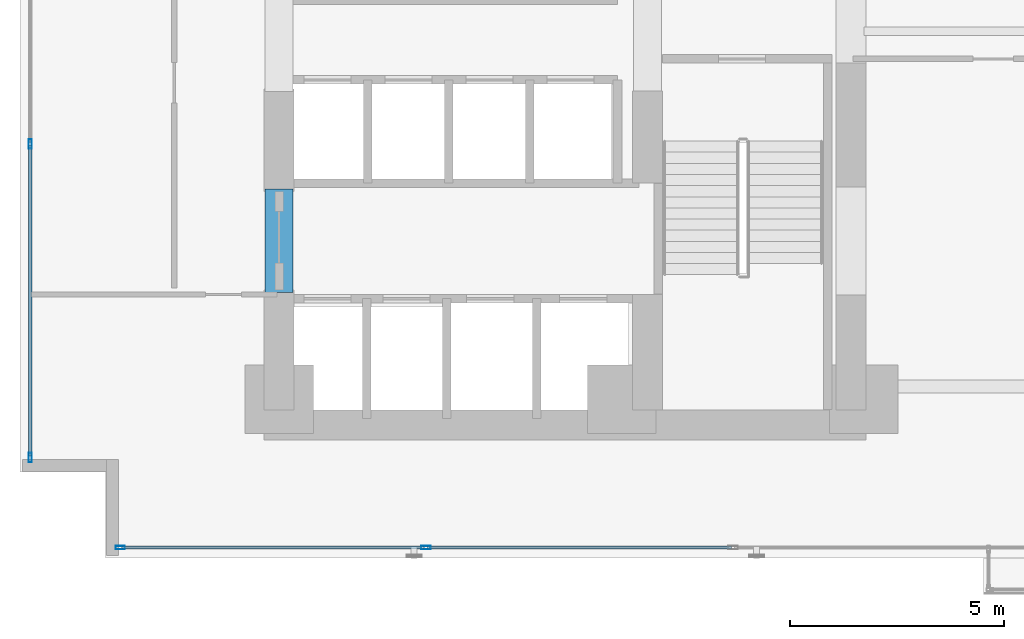
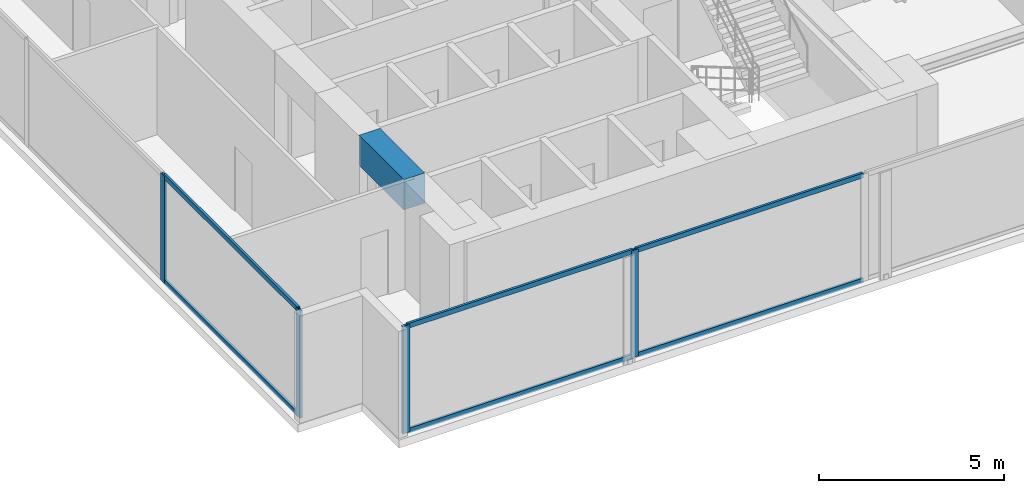
# One storey, part 2 of 26: 10 members, 1 beam, 2 elements without a shape of their own.
"""IFC4 building model written with IfcOpenShell, lengths in metres."""

import ifcopenshell
import ifcopenshell.guid

model = None  # the IFC model being written
_history = None  # IfcOwnerHistory: only IFC2X3 demands one
_inside = {}  # id of a spatial element -> (the spatial element, [elements in it])
_under = {}  # id of a project, library or spatial element -> (it, [spatial elements below it])
_declared = {}  # id of a project -> (the project, [libraries it declares])
_typed = {}  # id of a type object -> (the type object, [elements of that type])
_made_of = {}  # id of a material, layer set ... -> (it, [elements and type objects made of it])


def new_model(schema):
    """Start an empty IFC model of exactly this schema.

    Asked for "IFC4X3", IfcOpenShell would pick the latest addendum, in which some entities
    have other attributes; the version numbers below select the first issue.
    IFC2X3 requires an IfcOwnerHistory on every rooted entity: one is made here for all.
    """
    global model, _history
    if schema == "IFC4X3":
        model = ifcopenshell.file(schema_version=(4, 3, 0, 0))
    else:
        model = ifcopenshell.file(schema=schema)
    _inside.clear()
    _under.clear()
    _declared.clear()
    _typed.clear()
    _made_of.clear()
    _history = None
    if model.schema == "IFC2X3":
        org = make("IfcOrganization", Name="unknown")
        user = make(
            "IfcPersonAndOrganization",
            ThePerson=make("IfcPerson", FamilyName="unknown"),
            TheOrganization=org,
        )
        app = make(
            "IfcApplication",
            ApplicationDeveloper=org,
            Version="unknown",
            ApplicationFullName="unknown",
            ApplicationIdentifier="unknown",
        )
        _history = make(
            "IfcOwnerHistory",
            OwningUser=user,
            OwningApplication=app,
            ChangeAction="ADDED",
            CreationDate=0,
        )
    return model


def make(cls, **values):
    """One entity of the class cls with the attributes given. An attribute that is None is left unset."""
    return model.create_entity(
        cls, **{name: value for name, value in values.items() if value is not None}
    )


def rooted(cls, **values):
    """An entity with a GlobalId (a new one), such as an element, a storey or a relation."""
    return make(cls, GlobalId=ifcopenshell.guid.new(), OwnerHistory=_history, **values)


def si_unit(unit_type, name, prefix=None):
    """IfcSIUnit, for example si_unit("LENGTHUNIT", "METRE", prefix="MILLI")."""
    return make("IfcSIUnit", UnitType=unit_type, Prefix=prefix, Name=name)


def assignment(units):
    """IfcUnitAssignment: the units of a project."""
    return None if units is None else make("IfcUnitAssignment", Units=units)


def point(xyz):
    """IfcCartesianPoint."""
    return None if xyz is None else make("IfcCartesianPoint", Coordinates=xyz)


def direction(xyz):
    """IfcDirection."""
    return None if xyz is None else make("IfcDirection", DirectionRatios=xyz)


def frame(location, z_axis=None, x_axis=None):
    """IfcAxis2Placement3D, a coordinate frame: its origin and axes. An axis left out is left unset."""
    return make(
        "IfcAxis2Placement3D",
        Location=point(location),
        Axis=direction(z_axis),
        RefDirection=direction(x_axis),
    )


def frame_2d(location, x_axis=None):
    """IfcAxis2Placement2D, a coordinate frame in the plane: its origin and x axis."""
    return make(
        "IfcAxis2Placement2D", Location=point(location), RefDirection=direction(x_axis)
    )


def origin():
    """The frame at (0, 0, 0) with its axes left unset."""
    return frame((0.0, 0.0, 0.0))


def origin_with_axes():
    """The frame at (0, 0, 0) with the z axis (0, 0, 1) and the x axis (1, 0, 0) written out."""
    return frame((0.0, 0.0, 0.0), z_axis=(0.0, 0.0, 1.0), x_axis=(1.0, 0.0, 0.0))


def origin_2d():
    """The frame at (0, 0) in the plane with its x axis left unset."""
    return frame_2d((0.0, 0.0))


def place(relative_to, where):
    """IfcLocalPlacement: puts the frame where relative to a parent placement (None: the world)."""
    return make(
        "IfcLocalPlacement", PlacementRelTo=relative_to, RelativePlacement=where
    )


def context(
    kind, dimensions, precision=None, world=None, true_north=None, identifier=None
):
    """IfcGeometricRepresentationContext, for example the 3D "Model" context."""
    return make(
        "IfcGeometricRepresentationContext",
        ContextIdentifier=identifier,
        ContextType=kind,
        CoordinateSpaceDimension=dimensions,
        Precision=precision,
        WorldCoordinateSystem=world,
        TrueNorth=true_north,
    )


def subcontext(parent, identifier, kind, view, scale=None):
    """IfcGeometricRepresentationSubContext, for example "Body" below "Model"."""
    return make(
        "IfcGeometricRepresentationSubContext",
        ContextIdentifier=identifier,
        ContextType=kind,
        ParentContext=parent,
        TargetScale=scale,
        TargetView=view,
    )


def project(units=None, contexts=None):
    """IfcProject with its units and contexts."""
    return rooted(
        "IfcProject",
        Name="project",
        RepresentationContexts=contexts,
        UnitsInContext=assignment(units),
    )


def spatial(cls, under=None, at=None, **own):
    """A site, building, storey or space (cls), placed at a placement, below another one or the project."""
    s = rooted(cls, ObjectPlacement=at, **own)
    if under is not None:
        _under.setdefault(under.id(), (under, []))[1].append(s)
    return s


def profile(cls, at=None, kind="AREA", **sizes):
    """A parametric profile (cls). Its sizes go by their IFC names, for example OverallWidth=200.0."""
    return make(cls, ProfileType=kind, Position=at, **sizes)


def rectangle(**sizes):
    """IfcRectangleProfileDef."""
    return profile("IfcRectangleProfileDef", **sizes)


def hollow_rectangle(**sizes):
    """IfcRectangleHollowProfileDef."""
    return profile("IfcRectangleHollowProfileDef", **sizes)


def extrude(swept, where, along, depth):
    """IfcExtrudedAreaSolid: the profile swept, set in the frame where, extruded along a direction by depth."""
    return make(
        "IfcExtrudedAreaSolid",
        SweptArea=swept,
        Position=where,
        ExtrudedDirection=direction(along),
        Depth=depth,
    )


def shape(context_of_items, identifier, shape_type, items):
    """IfcShapeRepresentation: the items that make up one representation, for example the "Body"."""
    return make(
        "IfcShapeRepresentation",
        ContextOfItems=context_of_items,
        RepresentationIdentifier=identifier,
        RepresentationType=shape_type,
        Items=items,
    )


def source(mapping_origin, context_of_items, identifier, shape_type, items):
    """IfcRepresentationMap: a shape defined once, which mapped items show again and again."""
    return make(
        "IfcRepresentationMap",
        MappingOrigin=mapping_origin,
        MappedRepresentation=shape(context_of_items, identifier, shape_type, items),
    )


def transform(
    local_origin,
    x_axis=None,
    y_axis=None,
    z_axis=None,
    scale=None,
    scale2=None,
    scale3=None,
    uniform=True,
):
    """IfcCartesianTransformationOperator3D, or its non-uniform kind. x_axis, y_axis, z_axis: its Axis1, 2, 3."""
    if uniform:
        return make(
            "IfcCartesianTransformationOperator3D",
            Axis1=direction(x_axis),
            Axis2=direction(y_axis),
            LocalOrigin=point(local_origin),
            Scale=scale,
            Axis3=direction(z_axis),
        )
    return make(
        "IfcCartesianTransformationOperator3DnonUniform",
        Axis1=direction(x_axis),
        Axis2=direction(y_axis),
        LocalOrigin=point(local_origin),
        Scale=scale,
        Axis3=direction(z_axis),
        Scale2=scale2,
        Scale3=scale3,
    )


def mapped(mapping_source, mapping_target):
    """IfcMappedItem: shows the shape of a source again, moved by a transform."""
    return make(
        "IfcMappedItem", MappingSource=mapping_source, MappingTarget=mapping_target
    )


def material(Name=None, Category=None):
    """IfcMaterial."""
    return make("IfcMaterial", Name=Name, Category=Category)


def layer(
    of_material, thickness, ventilated=None, Name=None, Category=None, Priority=None
):
    """IfcMaterialLayer: one layer of a wall or slab, of a material (None: an air gap)."""
    return make(
        "IfcMaterialLayer",
        Material=of_material,
        LayerThickness=thickness,
        IsVentilated=ventilated,
        Name=Name,
        Category=Category,
        Priority=Priority,
    )


def layer_set(layers, Name=None):
    """IfcMaterialLayerSet."""
    return make("IfcMaterialLayerSet", MaterialLayers=layers, LayerSetName=Name)


def material_profile(
    of_material, cross_section, Name=None, Category=None, Priority=None
):
    """IfcMaterialProfile: a cross section and its material."""
    return make(
        "IfcMaterialProfile",
        Name=Name,
        Material=of_material,
        Profile=cross_section,
        Priority=Priority,
        Category=Category,
    )


def profile_set(profiles, Name=None, composite=None):
    """IfcMaterialProfileSet."""
    return make(
        "IfcMaterialProfileSet",
        Name=Name,
        MaterialProfiles=profiles,
        CompositeProfile=composite,
    )


def made_of(thing, what):
    """Note that an element or type object is made of a material, layer set ...; save() writes the relation."""
    if what is not None:
        _made_of.setdefault(what.id(), (what, []))[1].append(thing)
    return thing


def type_object(cls, material=None, **own):
    """A type object (cls), such as IfcWallType, which elements share."""
    return made_of(rooted(cls, **own), material)


def element(
    cls,
    number,
    at=None,
    inside=None,
    cuts=None,
    type_object=None,
    material=None,
    context=None,
    identifier="Body",
    shape_type=None,
    held_by="IfcProductDefinitionShape",
    body=None,
    shapes=None,
    **own,
):
    """One element of the class cls, such as IfcWall. Its Tag is "e" and its number.

    at: its placement. inside: the storey or other place that contains it. cuts: it is an
    opening in that element (IfcRelVoidsElement). A single representation is given by context,
    identifier, shape_type and body (its items); several are given by shapes. held_by: the class
    of the entity that holds the representations. save() writes the other relations.
    """
    e = rooted(cls, Tag="e%d" % number, ObjectPlacement=at, **own)
    if body is not None:
        shapes = [shape(context, identifier, shape_type, body)]
    if shapes is not None:
        e.Representation = make(held_by, Representations=shapes)
    if inside is not None:
        _inside.setdefault(inside.id(), (inside, []))[1].append(e)
    if cuts is not None:
        rooted(
            "IfcRelVoidsElement", RelatingBuildingElement=cuts, RelatedOpeningElement=e
        )
    if type_object is not None:
        _typed.setdefault(type_object.id(), (type_object, []))[1].append(e)
    return made_of(e, material)


def aggregate(whole, parts):
    """IfcRelAggregates: a whole, such as a stair, and the parts it consists of."""
    return rooted("IfcRelAggregates", RelatingObject=whole, RelatedObjects=parts)


def save(model, path):
    """Write the relations noted so far, then the file.

    IfcRelAggregates (storeys below a building ...), IfcRelContainedInSpatialStructure (elements
    in a storey), IfcRelDefinesByType, IfcRelAssociatesMaterial and IfcRelDeclares: one each for
    every whole, place, type object, material and project.
    """
    for whole, parts in _under.values():
        aggregate(whole, parts)
    for where, things in _inside.values():
        rooted(
            "IfcRelContainedInSpatialStructure",
            RelatedElements=things,
            RelatingStructure=where,
        )
    for kind, things in _typed.values():
        rooted("IfcRelDefinesByType", RelatedObjects=things, RelatingType=kind)
    for what, things in _made_of.values():
        rooted("IfcRelAssociatesMaterial", RelatedObjects=things, RelatingMaterial=what)
    for by, libraries in _declared.values():
        rooted("IfcRelDeclares", RelatingContext=by, RelatedDefinitions=libraries)
    model.write(path)


model = new_model("IFC4")

# Units and contexts
model_context = context("Model", 3, precision=1e-05, world=origin(), true_north=direction((0.0, 1.0)))
body_context = subcontext(model_context, "Body", "Model", "MODEL_VIEW")
ifc_project = project(units=[si_unit("LENGTHUNIT", "METRE"), si_unit("AREAUNIT", "SQUARE_METRE"), si_unit("VOLUMEUNIT", "CUBIC_METRE"), si_unit("PLANEANGLEUNIT", "RADIAN"), si_unit("MASSUNIT", "GRAM", prefix="KILO")], contexts=[model_context])

# Site, building, storey
site_placement = place(None, origin())
site = spatial("IfcSite", under=ifc_project, at=site_placement, CompositionType="ELEMENT")
building_placement = place(site_placement, origin())
building = spatial("IfcBuilding", under=site, at=building_placement, Name="Kolvaren Waterfront Exchange", CompositionType="ELEMENT")
storey_placement = place(building_placement, frame((0.0, 0.0, 44.800048828125)))
storey = spatial("IfcBuildingStorey", under=building, at=storey_placement, Name="L11", CompositionType="ELEMENT", Elevation=44.800048828125)

# Beam
ifc_material_1 = material(Name="Concrete C60/75", Category="concrete")
ifc_material_profile_1 = material_profile(ifc_material_1, rectangle(XDim=0.64990234375, YDim=1.0, at=origin_2d()), Name="RC-CB-1000x650")
ifc_profile_set_1 = profile_set([ifc_material_profile_1], Name="Concrete C60/75")
beam_type = type_object("IfcBeamType", Name="STR-CB-1000", PredefinedType="SPANDREL", material=ifc_profile_set_1)
beam_placement = place(storey_placement, frame((7.449951171875, 7.389892578125, 3.0400390625), z_axis=(0.0, 1.0, 0.0), x_axis=(-1.0, 0.0, 0.0)))
element("IfcBeam", 1, at=beam_placement, inside=storey, type_object=beam_type, Name="L11 core coupling beam 3", PredefinedType="SPANDREL", context=body_context, shape_type="SweptSolid", body=[
    extrude(rectangle(XDim=0.64990234375, YDim=1.0, at=origin_2d()), origin(), (0.0, 0.0, 1.0), 2.420166015625),
])

# Curtain wall, members
ifc_material_2 = material(Name="Anodised bronze aluminium 6063-T6", Category="aluminium")
ifc_layer_1 = layer(ifc_material_2, 0.219970703125, Name="Anodised bronze aluminium 6063-T6")
ifc_layer_set_1 = layer_set([ifc_layer_1], Name="Anodised bronze aluminium 6063-T6")
curtain_wall_type_1 = type_object("IfcCurtainWallType", Name="ARC-CW-SYS1", PredefinedType="USERDEFINED", material=ifc_layer_set_1)
curtain_wall_1_placement = place(storey_placement, origin())
curtain_wall_1 = element("IfcCurtainWall", 2, at=curtain_wall_1_placement, inside=storey, type_object=curtain_wall_type_1, Name="L11 stick curtain wall CW1 (CW-L11-S)", ObjectType="STICK CURTAIN WALL", PredefinedType="USERDEFINED")
ifc_material_3 = material(Name="Anodised aluminium 6063-T6", Category="aluminium")
ifc_material_profile_2 = material_profile(ifc_material_3, hollow_rectangle(XDim=0.074951171875, YDim=0.159912109375, WallThickness=0.00439453125, at=origin_2d()), Name="ALU-TRN-160x75x4.5")
ifc_profile_set_2 = profile_set([ifc_material_profile_2], Name="Anodised aluminium 6063-T6")
member_type_1 = type_object("IfcMemberType", Name="ARC-CWT-160", PredefinedType="USERDEFINED", material=ifc_profile_set_2)
shared_shape_1 = source(origin_with_axes(), body_context, "Body", "SweptSolid", [
    extrude(hollow_rectangle(XDim=0.074951171875, YDim=0.159912109375, WallThickness=0.00439453125, at=origin_2d()), origin(), (0.0, 0.0, 1.0), 7.054931640625),
])
member_1_placement = place(storey_placement, frame((3.780029296875, 1.43994140625, 0.037353515625), z_axis=(1.0, 0.0, 0.0), x_axis=(0.0, 1.0, 0.0)))
member_1 = element("IfcMember", 3, at=member_1_placement, type_object=member_type_1, Name="CW1 transom 1.1", ObjectType="TRANSOM", PredefinedType="USERDEFINED", context=body_context, shape_type="MappedRepresentation", body=[
    mapped(shared_shape_1, transform((0.0, 0.0, 0.0), x_axis=(1.0, 0.0, 0.0), y_axis=(0.0, 1.0, 0.0), z_axis=(0.0, 0.0, 1.0), scale=1.0)),
])
member_2_placement = place(storey_placement, frame((3.780029296875, 1.43994140625, 3.50244140625), z_axis=(1.0, 0.0, 0.0), x_axis=(0.0, 1.0, 0.0)))
member_2 = element("IfcMember", 4, at=member_2_placement, type_object=member_type_1, Name="CW1 transom 1.2", ObjectType="TRANSOM", PredefinedType="USERDEFINED", context=body_context, shape_type="MappedRepresentation", body=[
    mapped(shared_shape_1, transform((0.0, 0.0, 0.0), x_axis=(1.0, 0.0, 0.0), y_axis=(0.0, 1.0, 0.0), z_axis=(0.0, 0.0, 1.0), scale=1.0)),
])
shared_shape_2 = source(origin_with_axes(), body_context, "Body", "SweptSolid", [
    extrude(hollow_rectangle(XDim=0.074951171875, YDim=0.159912109375, WallThickness=0.00439453125, at=origin_2d()), origin(), (0.0, 0.0, 1.0), 7.094970703125),
])
member_3_placement = place(storey_placement, frame((10.9150390625, 1.43994140625, 0.037353515625), z_axis=(1.0, 0.0, 0.0), x_axis=(0.0, 1.0, 0.0)))
member_3 = element("IfcMember", 5, at=member_3_placement, type_object=member_type_1, Name="CW1 transom 2.1", ObjectType="TRANSOM", PredefinedType="USERDEFINED", context=body_context, shape_type="MappedRepresentation", body=[
    mapped(shared_shape_2, transform((0.0, 0.0, 0.0), x_axis=(1.0, 0.0, 0.0), y_axis=(0.0, 1.0, 0.0), z_axis=(0.0, 0.0, 1.0), scale=1.0)),
])
member_4_placement = place(storey_placement, frame((10.9150390625, 1.43994140625, 3.50244140625), z_axis=(1.0, 0.0, 0.0), x_axis=(0.0, 1.0, 0.0)))
member_4 = element("IfcMember", 6, at=member_4_placement, type_object=member_type_1, Name="CW1 transom 2.2", ObjectType="TRANSOM", PredefinedType="USERDEFINED", context=body_context, shape_type="MappedRepresentation", body=[
    mapped(shared_shape_2, transform((0.0, 0.0, 0.0), x_axis=(1.0, 0.0, 0.0), y_axis=(0.0, 1.0, 0.0), z_axis=(0.0, 0.0, 1.0), scale=1.0)),
])

ifc_layer_2 = layer(ifc_material_3, 0.219970703125, Name="Anodised aluminium 6063-T6")
ifc_layer_set_2 = layer_set([ifc_layer_2], Name="Anodised aluminium 6063-T6")
curtain_wall_type_2 = type_object("IfcCurtainWallType", Name="ARC-CW-SYS2", PredefinedType="USERDEFINED", material=ifc_layer_set_2)
curtain_wall_2_placement = place(storey_placement, origin())
curtain_wall_2 = element("IfcCurtainWall", 7, at=curtain_wall_2_placement, inside=storey, type_object=curtain_wall_type_2, Name="L11 stick curtain wall CW2 (CW-L11-W)", ObjectType="STICK CURTAIN WALL", PredefinedType="USERDEFINED")
shared_shape_3 = source(origin_with_axes(), body_context, "Body", "SweptSolid", [
    extrude(hollow_rectangle(XDim=0.074951171875, YDim=0.159912109375, WallThickness=0.00439453125, at=origin_2d()), origin(), (0.0, 0.0, 1.0), 7.24658203125),
])
member_5_placement = place(storey_placement, frame((1.639892578125, 3.580078125, 0.037353515625), z_axis=(0.0, 1.0, 0.0), x_axis=(-1.0, 0.0, 0.0)))
member_5 = element("IfcMember", 8, at=member_5_placement, type_object=member_type_1, Name="CW2 transom 1.1", ObjectType="TRANSOM", PredefinedType="USERDEFINED", context=body_context, shape_type="MappedRepresentation", body=[
    mapped(shared_shape_3, transform((0.0, 0.0, 0.0), x_axis=(1.0, 0.0, 0.0), y_axis=(0.0, 1.0, 0.0), z_axis=(0.0, 0.0, 1.0), scale=1.0)),
])
member_6_placement = place(storey_placement, frame((1.639892578125, 3.580078125, 3.50244140625), z_axis=(0.0, 1.0, 0.0), x_axis=(-1.0, 0.0, 0.0)))
member_6 = element("IfcMember", 9, at=member_6_placement, type_object=member_type_1, Name="CW2 transom 1.2", ObjectType="TRANSOM", PredefinedType="USERDEFINED", context=body_context, shape_type="MappedRepresentation", body=[
    mapped(shared_shape_3, transform((0.0, 0.0, 0.0), x_axis=(1.0, 0.0, 0.0), y_axis=(0.0, 1.0, 0.0), z_axis=(0.0, 0.0, 1.0), scale=1.0)),
])

# Member
ifc_material_profile_3 = material_profile(ifc_material_3, hollow_rectangle(XDim=0.080078125, YDim=0.219970703125, WallThickness=0.0048828125, at=origin_2d()), Name="ALU-MUL-220x80x5")
ifc_profile_set_3 = profile_set([ifc_material_profile_3], Name="Anodised aluminium 6063-T6")
member_type_2 = type_object("IfcMemberType", Name="ARC-CWM-220", PredefinedType="MULLION", material=ifc_profile_set_3)
shared_shape_4 = source(origin_with_axes(), body_context, "Body", "SweptSolid", [
    extrude(hollow_rectangle(XDim=0.080078125, YDim=0.219970703125, WallThickness=0.0048828125, at=origin_2d()), origin(), (0.0, 0.0, 1.0), 3.5400390625),
])
member_7_placement = place(storey_placement, frame((3.739990234375, 1.43994140625, 0.0), z_axis=(0.0, 0.0, 1.0), x_axis=(0.0, 1.0, 0.0)))
member_7 = element("IfcMember", 10, at=member_7_placement, type_object=member_type_2, Name="CW1 mullion 1", PredefinedType="MULLION", context=body_context, shape_type="MappedRepresentation", body=[
    mapped(shared_shape_4, transform((0.0, 0.0, 0.0), x_axis=(1.0, 0.0, 0.0), y_axis=(0.0, 1.0, 0.0), z_axis=(0.0, 0.0, 1.0), scale=1.0)),
])

member_8_placement = place(storey_placement, frame((10.875, 1.43994140625, 0.0), z_axis=(0.0, 0.0, 1.0), x_axis=(0.0, 1.0, 0.0)))
member_8 = element("IfcMember", 11, at=member_8_placement, type_object=member_type_2, Name="CW1 mullion 2", PredefinedType="MULLION", context=body_context, shape_type="MappedRepresentation", body=[
    mapped(shared_shape_4, transform((0.0, 0.0, 0.0), x_axis=(1.0, 0.0, 0.0), y_axis=(0.0, 1.0, 0.0), z_axis=(0.0, 0.0, 1.0), scale=1.0)),
])

aggregate(curtain_wall_1, [member_7, member_8, member_1, member_2, member_3, member_4])

member_9_placement = place(storey_placement, frame((1.639892578125, 3.5400390625, 0.0), z_axis=(0.0, 0.0, 1.0), x_axis=(-1.0, 0.0, 0.0)))
member_9 = element("IfcMember", 12, at=member_9_placement, type_object=member_type_2, Name="CW2 mullion 1", PredefinedType="MULLION", context=body_context, shape_type="MappedRepresentation", body=[
    mapped(shared_shape_4, transform((0.0, 0.0, 0.0), x_axis=(1.0, 0.0, 0.0), y_axis=(0.0, 1.0, 0.0), z_axis=(0.0, 0.0, 1.0), scale=1.0)),
])

member_10_placement = place(storey_placement, frame((1.639892578125, 10.86669921875, 0.0), z_axis=(0.0, 0.0, 1.0), x_axis=(-1.0, 0.0, 0.0)))
member_10 = element("IfcMember", 13, at=member_10_placement, type_object=member_type_2, Name="CW2 mullion 2", PredefinedType="MULLION", context=body_context, shape_type="MappedRepresentation", body=[
    mapped(shared_shape_4, transform((0.0, 0.0, 0.0), x_axis=(1.0, 0.0, 0.0), y_axis=(0.0, 1.0, 0.0), z_axis=(0.0, 0.0, 1.0), scale=1.0)),
])

aggregate(curtain_wall_2, [member_9, member_10, member_5, member_6])

save(model, "model.ifc")
